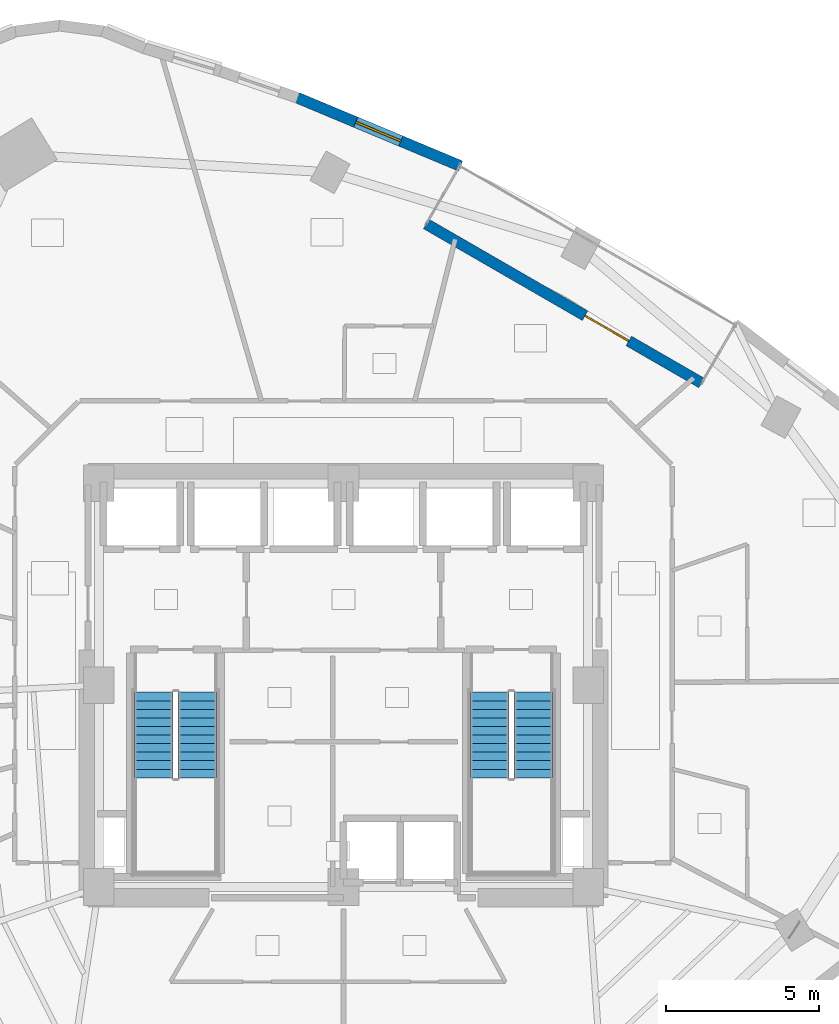
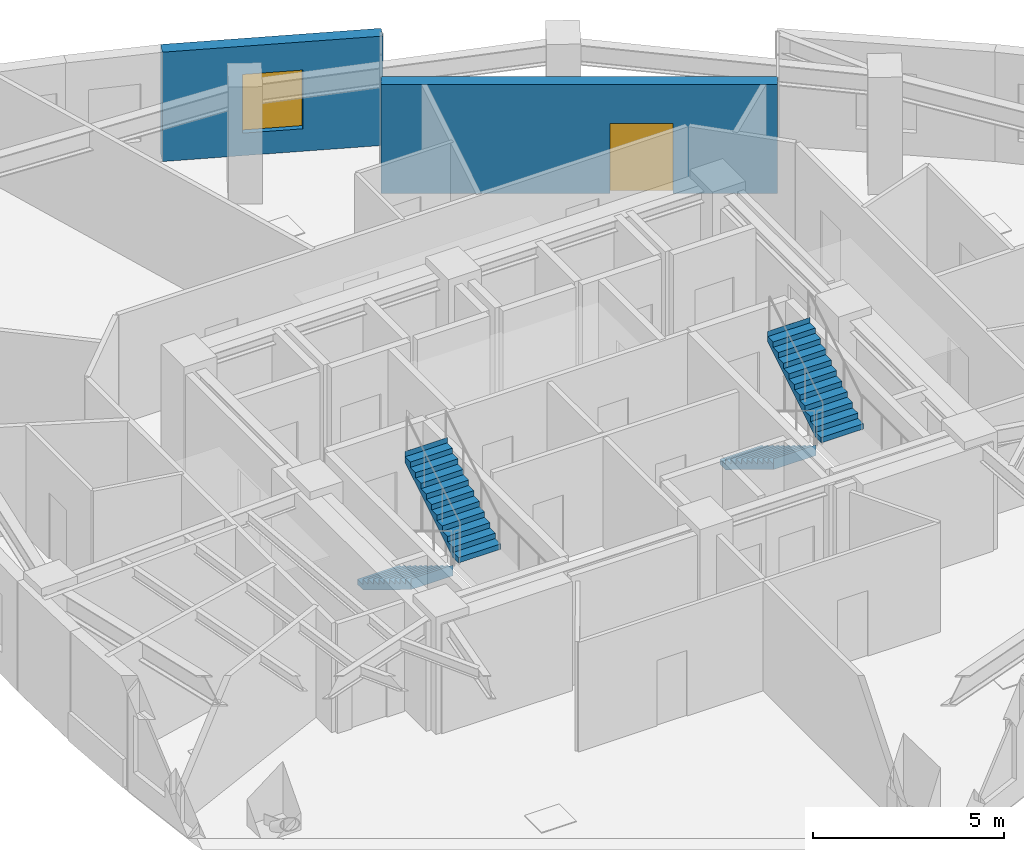
# One storey, part 11 of 14: 4 stair flights, 2 walls, 1 door, 1 window, 2 openings, 2 elements without a shape of their own.
"""IFC4 building model written with IfcOpenShell, lengths in metres."""

from ifc_helpers import new_model, si_unit, direction, frame, frame_2d, origin, place, context, subcontext, project, spatial, polyline, rectangle, outline, extrude, material, layer, layer_set, type_object, element, fill, aggregate, save


model = new_model("IFC4")

# Units and contexts
model_context = context("Model", 3, precision=1e-05, world=origin(), true_north=direction((0.0, 1.0)))
body_context = subcontext(model_context, "Body", "Model", "MODEL_VIEW")
ifc_project = project(units=[si_unit("LENGTHUNIT", "METRE"), si_unit("AREAUNIT", "SQUARE_METRE"), si_unit("VOLUMEUNIT", "CUBIC_METRE"), si_unit("PLANEANGLEUNIT", "RADIAN"), si_unit("MASSUNIT", "GRAM", prefix="KILO")], contexts=[model_context])

# Site, building, storey
site_placement = place(None, origin())
site = spatial("IfcSite", under=ifc_project, at=site_placement, CompositionType="ELEMENT")
building_placement = place(site_placement, origin())
building = spatial("IfcBuilding", under=site, at=building_placement, Name="Ndelora Gate Hotel", CompositionType="ELEMENT")
storey_placement = place(building_placement, frame((0.0, 0.0, 127.25)))
storey = spatial("IfcBuildingStorey", under=building, at=storey_placement, Name="L31", CompositionType="ELEMENT", Elevation=127.25)

# Wall, opening, door
ifc_material_1 = material(Name="Clay Brick Masonry", Category="masonry")
ifc_layer = layer(ifc_material_1, 0.360107421875)
ifc_layer_set = layer_set([ifc_layer], Name="Clay Brick Masonry")
wall_type = type_object("IfcWallType", Name="WL-BRICK-360", PredefinedType="SOLIDWALL", material=ifc_layer_set)
wall_1_placement = place(storey_placement, frame((2.70458984375, 15.084228515625, 0.0), z_axis=(0.0, 0.0, 1.0), x_axis=(0.866025696342, -0.499999493275, 0.0)))
wall_1 = element("IfcWall", 1, at=wall_1_placement, inside=storey, type_object=wall_type, Name="L31 Sky-Garden Loggia Rear Brick Wall", PredefinedType="SOLIDWALL", context=body_context, shape_type="SweptSolid", body=[
    extrude(rectangle(XDim=10.39990234375, YDim=0.360107421875, at=frame_2d((5.199951171875, 0.0))), origin(), (0.0, 0.0, 1.0), 3.5),
])
opening_1_placement = place(wall_1_placement, frame((6.0, 0.0, 0.0)))
opening_1 = element("IfcOpeningElement", 2, at=opening_1_placement, cuts=wall_1, Name="Opening TD1", PredefinedType="OPENING", context=body_context, shape_type="SweptSolid", body=[
    extrude(rectangle(XDim=1.64990234375, YDim=2.25, at=frame_2d((0.824951171875, 1.125))), frame((0.0, 0.18994140625, 0.0), z_axis=(0.0, -1.0, 0.0), x_axis=(1.0, 0.0, 0.0)), (0.0, 0.0, 1.0), 0.380126953125),
])
ifc_material_2 = material(Name="Architectural Bronze Glazed Door", Category="metal")
door_type = type_object("IfcDoorType", Name="DR-TER-1650", OperationType="DOUBLE_DOOR_SINGLE_SWING", PredefinedType="DOOR", material=ifc_material_2)
door_placement = place(opening_1_placement, origin())
door = element("IfcDoor", 3, at=door_placement, inside=storey, type_object=door_type, Name="L31 Sky-Garden Terrace Double Door TD1", OperationType="DOUBLE_DOOR_SINGLE_SWING", OverallHeight=2.25, OverallWidth=1.64990234375, PredefinedType="DOOR", context=body_context, shape_type="SweptSolid", body=[
    extrude(rectangle(XDim=1.64990234375, YDim=2.25, at=frame_2d((0.824951171875, 1.125))), frame((0.0, 0.02490234375, 0.0), z_axis=(0.0, -1.0, 0.0), x_axis=(1.0, 0.0, 0.0)), (0.0, 0.0, 1.0), 0.050048828125),
])
fill(opening_1, door)

# Wall, opening, window
wall_2_placement = place(storey_placement, frame((-1.547607421875, 19.229248046875, 0.0), z_axis=(0.0, 0.0, 1.0), x_axis=(0.922477078981, -0.386051860187, 0.0)))
wall_2 = element("IfcWall", 4, at=wall_2_placement, inside=storey, type_object=wall_type, Name="L31 Tower Brick Pier-and-Spandrel Wall TWR-56", PredefinedType="SOLIDWALL", context=body_context, shape_type="SweptSolid", body=[
    extrude(rectangle(XDim=5.826904296875, YDim=0.360107421875, at=frame_2d((2.91357421875, 0.0))), origin(), (0.0, 0.0, 1.0), 3.5),
])
opening_2_placement = place(wall_2_placement, frame((2.11328125, 0.0, 0.719970703125)))
opening_2 = element("IfcOpeningElement", 5, at=opening_2_placement, cuts=wall_2, Name="Opening W01", PredefinedType="OPENING", context=body_context, shape_type="SweptSolid", body=[
    extrude(rectangle(XDim=1.60009765625, YDim=1.8798828125, at=frame_2d((0.800048828125, 0.93994140625))), frame((0.0, 0.18994140625, 0.0), z_axis=(0.0, -1.0, 0.0), x_axis=(1.0, 0.0, 0.0)), (0.0, 0.0, 1.0), 0.380126953125),
])
ifc_material_3 = material(Name="Insulated Low-E Double Glazing in Bronze Aluminium Frame", Category="aluminium")
window_type = type_object("IfcWindowType", Name="WN-DEEP-1600", PartitioningType="SINGLE_PANEL", PredefinedType="WINDOW", material=ifc_material_3)
window_placement = place(opening_2_placement, origin())
window = element("IfcWindow", 6, at=window_placement, inside=storey, type_object=window_type, Name="L31 Deep-Set Brick-Pier Window W01", OverallHeight=1.8798828125, OverallWidth=1.60009765625, PartitioningType="SINGLE_PANEL", PredefinedType="WINDOW", context=body_context, shape_type="SweptSolid", body=[
    extrude(rectangle(XDim=1.60009765625, YDim=1.8798828125, at=frame_2d((0.800048828125, 0.93994140625))), frame((0.0, 0.030029296875, 0.0), z_axis=(0.0, -1.0, 0.0), x_axis=(1.0, 0.0, 0.0)), (0.0, 0.0, 1.0), 0.06005859375),
])
fill(opening_2, window)

# Stair, stair flights
ifc_material_4 = material(Name="Precast concrete C40/50", Category="concrete")
stair_type = type_object("IfcStairType", Name="STR-DOG-CORE", PredefinedType="HALF_TURN_STAIR", material=ifc_material_4)
stair_1_placement = place(storey_placement, origin())
stair_1 = element("IfcStair", 7, at=stair_1_placement, inside=storey, type_object=stair_type, Name="L31 Protected Core Exit Stair ST4", PredefinedType="HALF_TURN_STAIR")
stair_flight_type = type_object("IfcStairFlightType", Name="STF-PRECAST", PredefinedType="STRAIGHT", material=ifc_material_4)
stair_flight_1_placement = place(storey_placement, frame((-6.2099609375, -0.22998046875, 0.0), z_axis=(0.0, 0.0, 1.0), x_axis=(0.0, -1.0, 0.0)))
stair_flight_1 = element("IfcStairFlight", 8, at=stair_flight_1_placement, type_object=stair_flight_type, Name="ST4 flight 1", NumberOfRisers=11, NumberOfTreads=10, PredefinedType="STRAIGHT", RiserHeight=0.170454545, TreadLength=0.28, context=body_context, shape_type="SweptSolid", body=[
    extrude(outline(polyline([(-0.00048828125, 0.0), (-0.00048828125, 0.17041015625), (0.0, 0.17041015625), (0.280029296875, 0.17041015625), (0.280029296875, 0.3408203125), (0.56005859375, 0.3408203125), (0.56005859375, 0.511474609375), (0.840087890625, 0.511474609375), (0.840087890625, 0.681884765625), (1.1201171875, 0.681884765625), (1.1201171875, 0.852294921875), (1.39990234375, 0.852294921875), (1.39990234375, 1.022705078125), (1.679931640625, 1.022705078125), (1.679931640625, 1.193115234375), (1.9599609375, 1.193115234375), (1.9599609375, 1.363525390625), (2.239990234375, 1.363525390625), (2.239990234375, 1.5341796875), (2.52001953125, 1.5341796875), (2.52001953125, 1.70458984375), (2.800048828125, 1.70458984375), (2.800048828125, 1.875), (2.800537109375, 1.875), (2.800537109375, 1.695068359375), (2.800048828125, 1.529052734375), (0.288330078125, 0.0), (-0.00048828125, 0.0)])), frame((0.0, 0.64013671875, 0.0), z_axis=(0.0, -1.0, 0.0), x_axis=(1.0, 0.0, 0.0)), (0.0, 0.0, 1.0), 1.280029296875),
])
stair_flight_2_placement = place(storey_placement, frame((-4.77001953125, -3.030029296875, 1.875), z_axis=(0.0, 0.0, 1.0), x_axis=(0.0, 1.0, 0.0)))
stair_flight_2 = element("IfcStairFlight", 9, at=stair_flight_2_placement, type_object=stair_flight_type, Name="ST4 flight 2", NumberOfRisers=11, NumberOfTreads=10, PredefinedType="STRAIGHT", RiserHeight=0.170454545, TreadLength=0.28, context=body_context, shape_type="SweptSolid", body=[
    extrude(outline(polyline([(-0.00048828125, 0.0), (-0.00048828125, 0.17041015625), (0.0, 0.17041015625), (0.280029296875, 0.17041015625), (0.280029296875, 0.3408203125), (0.56005859375, 0.3408203125), (0.56005859375, 0.511474609375), (0.840087890625, 0.511474609375), (0.840087890625, 0.681884765625), (1.1201171875, 0.681884765625), (1.1201171875, 0.852294921875), (1.39990234375, 0.852294921875), (1.39990234375, 1.022705078125), (1.679931640625, 1.022705078125), (1.679931640625, 1.193115234375), (1.9599609375, 1.193115234375), (1.9599609375, 1.363525390625), (2.239990234375, 1.363525390625), (2.239990234375, 1.5341796875), (2.52001953125, 1.5341796875), (2.52001953125, 1.70458984375), (2.800048828125, 1.70458984375), (2.800048828125, 1.875), (2.800537109375, 1.875), (2.800537109375, 1.695068359375), (2.800048828125, 1.529052734375), (0.288330078125, 0.0), (-0.00048828125, 0.0)])), frame((0.0, 0.64013671875, 0.0), z_axis=(0.0, -1.0, 0.0), x_axis=(1.0, 0.0, 0.0)), (0.0, 0.0, 1.0), 1.280029296875),
])
aggregate(stair_1, [stair_flight_1, stair_flight_2])

stair_2_placement = place(storey_placement, origin())
stair_2 = element("IfcStair", 10, at=stair_2_placement, inside=storey, type_object=stair_type, Name="L31 Protected Core Exit Stair ST5", PredefinedType="HALF_TURN_STAIR")
stair_flight_3_placement = place(storey_placement, frame((4.77001953125, -0.22998046875, 0.0), z_axis=(0.0, 0.0, 1.0), x_axis=(0.0, -1.0, 0.0)))
stair_flight_3 = element("IfcStairFlight", 11, at=stair_flight_3_placement, type_object=stair_flight_type, Name="ST5 flight 1", NumberOfRisers=11, NumberOfTreads=10, PredefinedType="STRAIGHT", RiserHeight=0.170454545, TreadLength=0.28, context=body_context, shape_type="SweptSolid", body=[
    extrude(outline(polyline([(-0.00048828125, 0.0), (-0.00048828125, 0.17041015625), (0.0, 0.17041015625), (0.280029296875, 0.17041015625), (0.280029296875, 0.3408203125), (0.56005859375, 0.3408203125), (0.56005859375, 0.511474609375), (0.840087890625, 0.511474609375), (0.840087890625, 0.681884765625), (1.1201171875, 0.681884765625), (1.1201171875, 0.852294921875), (1.39990234375, 0.852294921875), (1.39990234375, 1.022705078125), (1.679931640625, 1.022705078125), (1.679931640625, 1.193115234375), (1.9599609375, 1.193115234375), (1.9599609375, 1.363525390625), (2.239990234375, 1.363525390625), (2.239990234375, 1.5341796875), (2.52001953125, 1.5341796875), (2.52001953125, 1.70458984375), (2.800048828125, 1.70458984375), (2.800048828125, 1.875), (2.800537109375, 1.875), (2.800537109375, 1.695068359375), (2.800048828125, 1.529052734375), (0.288330078125, 0.0), (-0.00048828125, 0.0)])), frame((0.0, 0.64013671875, 0.0), z_axis=(0.0, -1.0, 0.0), x_axis=(1.0, 0.0, 0.0)), (0.0, 0.0, 1.0), 1.280029296875),
])
stair_flight_4_placement = place(storey_placement, frame((6.2099609375, -3.030029296875, 1.875), z_axis=(0.0, 0.0, 1.0), x_axis=(0.0, 1.0, 0.0)))
stair_flight_4 = element("IfcStairFlight", 12, at=stair_flight_4_placement, type_object=stair_flight_type, Name="ST5 flight 2", NumberOfRisers=11, NumberOfTreads=10, PredefinedType="STRAIGHT", RiserHeight=0.170454545, TreadLength=0.28, context=body_context, shape_type="SweptSolid", body=[
    extrude(outline(polyline([(-0.00048828125, 0.0), (-0.00048828125, 0.17041015625), (0.0, 0.17041015625), (0.280029296875, 0.17041015625), (0.280029296875, 0.3408203125), (0.56005859375, 0.3408203125), (0.56005859375, 0.511474609375), (0.840087890625, 0.511474609375), (0.840087890625, 0.681884765625), (1.1201171875, 0.681884765625), (1.1201171875, 0.852294921875), (1.39990234375, 0.852294921875), (1.39990234375, 1.022705078125), (1.679931640625, 1.022705078125), (1.679931640625, 1.193115234375), (1.9599609375, 1.193115234375), (1.9599609375, 1.363525390625), (2.239990234375, 1.363525390625), (2.239990234375, 1.5341796875), (2.52001953125, 1.5341796875), (2.52001953125, 1.70458984375), (2.800048828125, 1.70458984375), (2.800048828125, 1.875), (2.800537109375, 1.875), (2.800537109375, 1.695068359375), (2.800048828125, 1.529052734375), (0.288330078125, 0.0), (-0.00048828125, 0.0)])), frame((0.0, 0.64013671875, 0.0), z_axis=(0.0, -1.0, 0.0), x_axis=(1.0, 0.0, 0.0)), (0.0, 0.0, 1.0), 1.280029296875),
])
aggregate(stair_2, [stair_flight_3, stair_flight_4])

save(model, "model.ifc")
